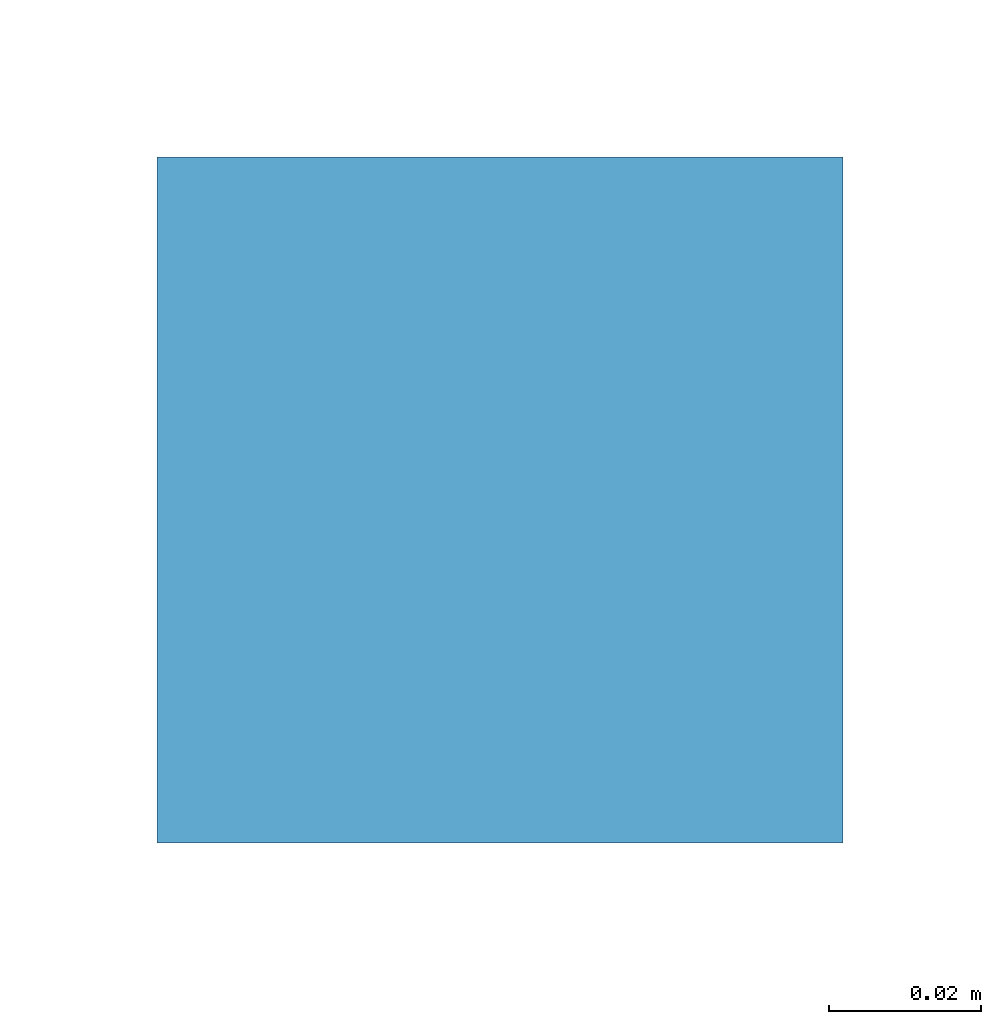
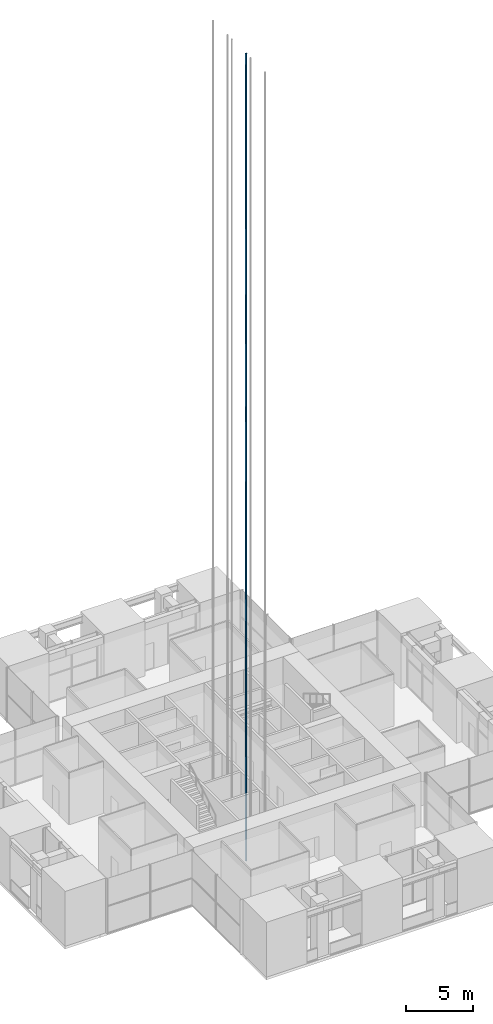
# One storey, part 10 of 17: 1 discrete accessory.
"""IFC4 building model written with IfcOpenShell, lengths in metres."""

from ifc_helpers import new_model, si_unit, direction, frame, origin, origin_2d, place, context, subcontext, project, spatial, rectangle, extrude, element, save


model = new_model("IFC4")

# Units and contexts
model_context = context("Model", 3, precision=1e-05, world=origin(), true_north=direction((0.0, 1.0)))
body_context = subcontext(model_context, "Body", "Model", "MODEL_VIEW")
ifc_project = project(units=[si_unit("LENGTHUNIT", "METRE"), si_unit("AREAUNIT", "SQUARE_METRE"), si_unit("VOLUMEUNIT", "CUBIC_METRE"), si_unit("PLANEANGLEUNIT", "RADIAN"), si_unit("MASSUNIT", "GRAM", prefix="KILO")], contexts=[model_context])

# Site, building, storey
site_placement = place(None, origin())
site = spatial("IfcSite", under=ifc_project, at=site_placement, CompositionType="ELEMENT")
building_placement = place(site_placement, origin())
building = spatial("IfcBuilding", under=site, at=building_placement, Name="Svetlomir Tower", CompositionType="ELEMENT")
storey_placement = place(building_placement, frame((0.0, 0.0, 165.5)))
storey = spatial("IfcBuildingStorey", under=building, at=storey_placement, Name="L39", CompositionType="ELEMENT", Elevation=165.5)

# Discrete accessory
discrete_accessory_placement = place(storey_placement, frame((18.300048828125, 15.625, -1.400146484375), z_axis=(0.0, 0.0, 1.0), x_axis=(1.0, 0.0, 0.0)))
element("IfcDiscreteAccessory", 1, at=discrete_accessory_placement, inside=storey, Name="Lift LC2 guide rail 1", ObjectType="LIFT GUIDE RAIL", PredefinedType="USERDEFINED", context=body_context, shape_type="SweptSolid", body=[
    extrude(rectangle(XDim=0.090087890625, YDim=0.090087890625, at=origin_2d()), origin(), (0.0, 0.0, 1.0), 73.60009765625),
])

save(model, "model.ifc")
